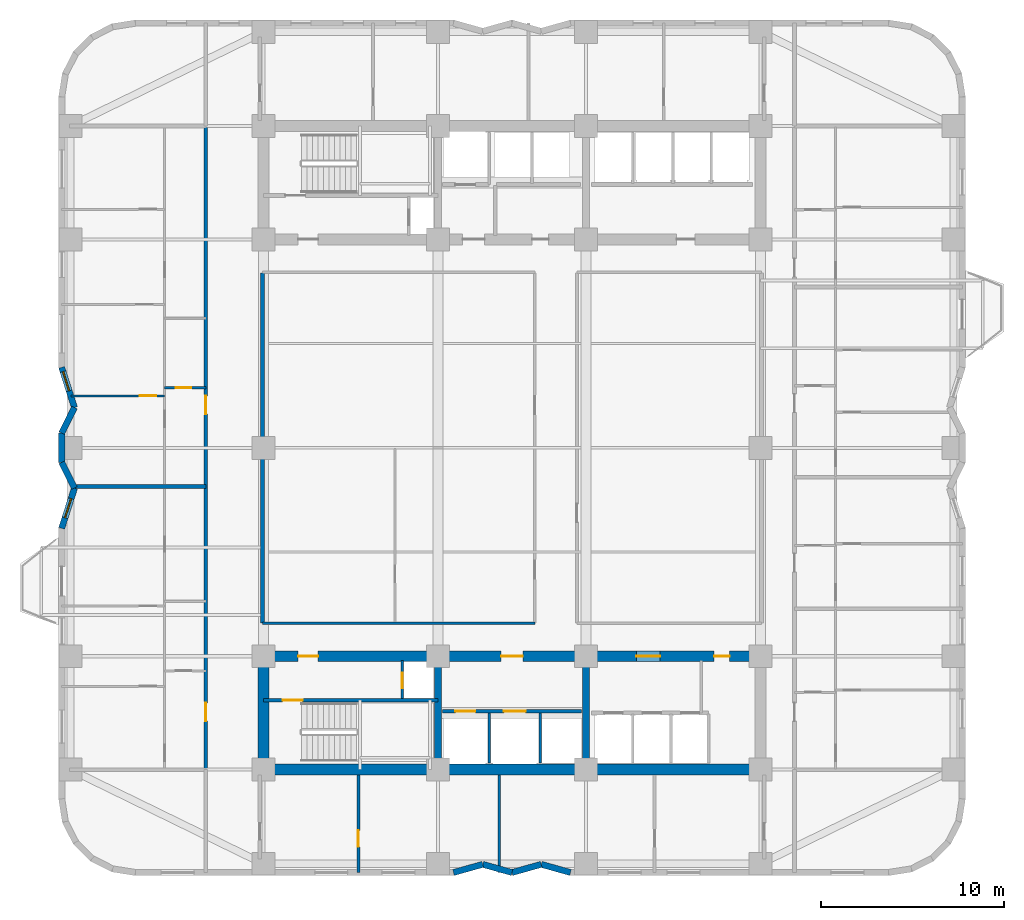
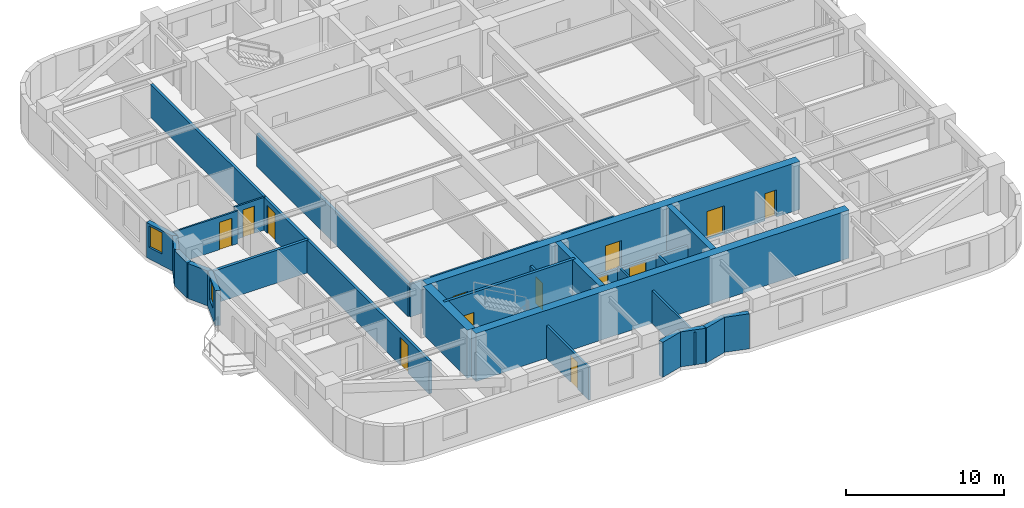
# One storey, part 3 of 9: 27 walls, 13 doors, 2 windows, 15 openings.
"""IFC4 building model written with IfcOpenShell, lengths in metres."""

from ifc_helpers import new_model, si_unit, direction, frame, frame_2d, origin, place, context, subcontext, project, spatial, rectangle, extrude, material, layer, layer_set, type_object, element, fill, save


model = new_model("IFC4")

# Units and contexts
model_context = context("Model", 3, precision=1e-05, world=origin(), true_north=direction((0.0, 1.0)))
body_context = subcontext(model_context, "Body", "Model", "MODEL_VIEW")
ifc_project = project(units=[si_unit("LENGTHUNIT", "METRE"), si_unit("AREAUNIT", "SQUARE_METRE"), si_unit("VOLUMEUNIT", "CUBIC_METRE"), si_unit("PLANEANGLEUNIT", "RADIAN"), si_unit("MASSUNIT", "GRAM", prefix="KILO")], contexts=[model_context])

# Site, building, storey
site_placement = place(None, origin())
site = spatial("IfcSite", under=ifc_project, at=site_placement, CompositionType="ELEMENT")
building_placement = place(site_placement, origin())
building = spatial("IfcBuilding", under=site, at=building_placement, Name="Svetorya Sky Lyceum", CompositionType="ELEMENT")
storey_placement = place(building_placement, frame((0.0, 0.0, 62.10009765625)))
storey = spatial("IfcBuildingStorey", under=building, at=storey_placement, Name="L15", CompositionType="ELEMENT", Elevation=62.10009765625)

# Walls
ifc_material_1 = material(Name="Concrete C40/50", Category="concrete")
ifc_layer_1 = layer(ifc_material_1, 0.39990234375)
ifc_layer_set_1 = layer_set([ifc_layer_1], Name="Concrete C40/50")
wall_type_1 = type_object("IfcWallType", Name="WL-CORE-400", PredefinedType="SHEAR", material=ifc_layer_set_1)
for number, where, z_axis, x_axis, name in (
    (1, (35.14990234375, 10.89990234375, 0.0), (0.0, 0.0, 1.0), (0.0, 1.0, 0.0), "L15 SC Internal Shear Web WEB1"),
    (2, (43.25, 10.89990234375, 0.0), (0.0, 0.0, 1.0), (0.0, 1.0, 0.0), "L15 SC Internal Shear Web WEB2"),
):
    element("IfcWall", number, at=place(storey_placement, frame(where, z_axis=z_axis, x_axis=x_axis)), inside=storey, type_object=wall_type_1, Name=name, PredefinedType="SHEAR", context=body_context, shape_type="SweptSolid", body=[
        extrude(rectangle(XDim=5.60009765625, YDim=0.39990234375, at=frame_2d((2.800048828125, 0.0))), origin(), (0.0, 0.0, 1.0), 3.699951171875),
    ])
ifc_material_2 = material(Name="Concrete C60/75", Category="concrete")
ifc_layer_2 = layer(ifc_material_2, 0.60009765625)
ifc_layer_set_2 = layer_set([ifc_layer_2], Name="Concrete C60/75")
wall_type_2 = type_object("IfcWallType", Name="WL-CORE-600", PredefinedType="SHEAR", material=ifc_layer_set_2)
wall_1_placement = place(storey_placement, frame((52.800048828125, 10.60009765625, 0.0), z_axis=(0.0, 0.0, 1.0), x_axis=(-1.0, 0.0, 0.0)))
element("IfcWall", 3, at=wall_1_placement, inside=storey, type_object=wall_type_2, Name="L15 SC Outer Core Shear Wall", PredefinedType="SHEAR", context=body_context, shape_type="SweptSolid", body=[
    extrude(rectangle(XDim=27.199951171875, YDim=0.60009765625, at=frame_2d((13.60009765625, 0.0))), origin(), (0.0, 0.0, 1.0), 3.699951171875),
])
wall_2_placement = place(storey_placement, frame((25.60009765625, 10.89990234375, 0.0), z_axis=(0.0, 0.0, 1.0), x_axis=(0.0, 1.0, 0.0)))
element("IfcWall", 4, at=wall_2_placement, inside=storey, type_object=wall_type_2, Name="L15 SC West Core Shear Wall", PredefinedType="SHEAR", context=body_context, shape_type="SweptSolid", body=[
    extrude(rectangle(XDim=5.60009765625, YDim=0.60009765625, at=frame_2d((2.800048828125, 0.0))), origin(), (0.0, 0.0, 1.0), 3.699951171875),
])

# Wall, openings, doors
wall_3_placement = place(storey_placement, frame((25.60009765625, 16.800048828125, 0.0), z_axis=(0.0, 0.0, 1.0), x_axis=(1.0, 0.0, 0.0)))
wall_3 = element("IfcWall", 5, at=wall_3_placement, inside=storey, type_object=wall_type_2, Name="L15 SC Inner Core Shear Wall", PredefinedType="SHEAR", context=body_context, shape_type="SweptSolid", body=[
    extrude(rectangle(XDim=27.199951171875, YDim=0.60009765625, at=frame_2d((13.60009765625, 0.0))), origin(), (0.0, 0.0, 1.0), 3.699951171875),
])
opening_1_placement = place(wall_3_placement, frame((1.89990234375, 0.0, 0.0)))
opening_1 = element("IfcOpeningElement", 6, at=opening_1_placement, cuts=wall_3, Name="Opening D-ST1", PredefinedType="OPENING", context=body_context, shape_type="SweptSolid", body=[
    extrude(rectangle(XDim=1.10009765625, YDim=2.14990234375, at=frame_2d((0.550048828125, 1.074951171875))), frame((0.0, 0.31005859375, 0.0), z_axis=(0.0, -1.0, 0.0), x_axis=(1.0, 0.0, 0.0)), (0.0, 0.0, 1.0), 0.6201171875),
])
opening_2_placement = place(wall_3_placement, frame((13.0, 0.0, 0.0)))
opening_2 = element("IfcOpeningElement", 7, at=opening_2_placement, cuts=wall_3, Name="Opening D-FL1", PredefinedType="OPENING", context=body_context, shape_type="SweptSolid", body=[
    extrude(rectangle(XDim=1.199951171875, YDim=2.14990234375, at=frame_2d((0.60009765625, 1.074951171875))), frame((0.0, 0.31005859375, 0.0), z_axis=(0.0, -1.0, 0.0), x_axis=(1.0, 0.0, 0.0)), (0.0, 0.0, 1.0), 0.6201171875),
])
opening_3_placement = place(wall_3_placement, frame((20.39990234375, 0.0, 0.0)))
opening_3 = element("IfcOpeningElement", 8, at=opening_3_placement, cuts=wall_3, Name="Opening D-LB1", PredefinedType="OPENING", context=body_context, shape_type="SweptSolid", body=[
    extrude(rectangle(XDim=1.300048828125, YDim=2.199951171875, at=frame_2d((0.64990234375, 1.10009765625))), frame((0.0, 0.31005859375, 0.0), z_axis=(0.0, -1.0, 0.0), x_axis=(1.0, 0.0, 0.0)), (0.0, 0.0, 1.0), 0.6201171875),
])
opening_4_placement = place(wall_3_placement, frame((24.64990234375, 0.0, 0.0)))
opening_4 = element("IfcOpeningElement", 9, at=opening_4_placement, cuts=wall_3, Name="Opening D-CWC1", PredefinedType="OPENING", context=body_context, shape_type="SweptSolid", body=[
    extrude(rectangle(XDim=0.85009765625, YDim=2.10009765625, at=frame_2d((0.425048828125, 1.050048828125))), frame((0.0, 0.31005859375, 0.0), z_axis=(0.0, -1.0, 0.0), x_axis=(1.0, 0.0, 0.0)), (0.0, 0.0, 1.0), 0.6201171875),
])
ifc_material_3 = material(Name="Fire-rated galvanized steel core service closet door", Category="steel")
door_type_1 = type_object("IfcDoorType", Name="DR-CWET-850", OperationType="SINGLE_SWING_LEFT", PredefinedType="DOOR", material=ifc_material_3)
door_1_placement = place(opening_4_placement, origin())
door_1 = element("IfcDoor", 10, at=door_1_placement, inside=storey, type_object=door_type_1, Name="L15 South Core Auxiliary Door", OperationType="SINGLE_SWING_LEFT", OverallHeight=2.10009765625, OverallWidth=0.85009765625, PredefinedType="DOOR", context=body_context, shape_type="SweptSolid", body=[
    extrude(rectangle(XDim=0.85009765625, YDim=2.10009765625, at=frame_2d((0.425048828125, 1.050048828125))), frame((0.0, 0.02490234375, 0.0), z_axis=(0.0, -1.0, 0.0), x_axis=(1.0, 0.0, 0.0)), (0.0, 0.0, 1.0), 0.050048828125),
])
fill(opening_4, door_1)
ifc_material_4 = material(Name="Powder-coated insulated galvanized stair fire door")
door_type_2 = type_object("IfcDoorType", Name="DR-FIRE-1100", OperationType="SINGLE_SWING_LEFT", PredefinedType="DOOR", material=ifc_material_4)
door_2_placement = place(opening_1_placement, origin())
door_2 = element("IfcDoor", 11, at=door_2_placement, inside=storey, type_object=door_type_2, Name="L15 South Stair Airlock Door", OperationType="SINGLE_SWING_RIGHT", OverallHeight=2.14990234375, OverallWidth=1.10009765625, PredefinedType="DOOR", context=body_context, shape_type="SweptSolid", body=[
    extrude(rectangle(XDim=1.10009765625, YDim=2.14990234375, at=frame_2d((0.550048828125, 1.074951171875))), frame((0.0, 0.02490234375, 0.0), z_axis=(0.0, -1.0, 0.0), x_axis=(1.0, 0.0, 0.0)), (0.0, 0.0, 1.0), 0.050048828125),
])
fill(opening_1, door_2)
ifc_material_5 = material(Name="Powder-coated insulated galvanized fire door")
door_type_3 = type_object("IfcDoorType", Name="DR-FIRE-1200", OperationType="SINGLE_SWING_LEFT", PredefinedType="DOOR", material=ifc_material_5)
door_3_placement = place(opening_2_placement, origin())
door_3 = element("IfcDoor", 12, at=door_3_placement, inside=storey, type_object=door_type_3, Name="L15 South Firefighting Lift Lobby Door", OperationType="SINGLE_SWING_LEFT", OverallHeight=2.14990234375, OverallWidth=1.199951171875, PredefinedType="DOOR", context=body_context, shape_type="SweptSolid", body=[
    extrude(rectangle(XDim=1.199951171875, YDim=2.14990234375, at=frame_2d((0.60009765625, 1.074951171875))), frame((0.0, 0.02490234375, 0.0), z_axis=(0.0, -1.0, 0.0), x_axis=(1.0, 0.0, 0.0)), (0.0, 0.0, 1.0), 0.050048828125),
])
fill(opening_2, door_3)
ifc_material_6 = material(Name="Glazed fire-rated aluminium lobby door", Category="aluminium")
door_type_4 = type_object("IfcDoorType", Name="DR-LOB-1300", OperationType="SINGLE_SWING_LEFT", PredefinedType="DOOR", material=ifc_material_6)
door_4_placement = place(opening_3_placement, origin())
door_4 = element("IfcDoor", 13, at=door_4_placement, inside=storey, type_object=door_type_4, Name="L15 Low-Rise Lift Lobby Door", OperationType="SINGLE_SWING_RIGHT", OverallHeight=2.199951171875, OverallWidth=1.300048828125, PredefinedType="DOOR", context=body_context, shape_type="SweptSolid", body=[
    extrude(rectangle(XDim=1.300048828125, YDim=2.199951171875, at=frame_2d((0.64990234375, 1.10009765625))), frame((0.0, 0.02490234375, 0.0), z_axis=(0.0, -1.0, 0.0), x_axis=(1.0, 0.0, 0.0)), (0.0, 0.0, 1.0), 0.050048828125),
])
fill(opening_3, door_4)

# Walls
ifc_material_7 = material(Name="Putilovo limestone rainscreen on autoclaved cellular masonry", Category="masonry")
ifc_layer_3 = layer(ifc_material_7, 0.340087890625)
ifc_layer_set_3 = layer_set([ifc_layer_3], Name="Putilovo limestone rainscreen on autoclaved cellular masonry")
wall_type_3 = type_object("IfcWallType", Name="WL-EXT-340", PredefinedType="SOLIDWALL", material=ifc_layer_set_3)
wall_4_placement = place(storey_placement, frame((36.0, 4.969970703125, 0.0), z_axis=(0.0, 0.0, 1.0), x_axis=(0.962662902433, 0.270703040766, 0.0)))
element("IfcWall", 14, at=wall_4_placement, inside=storey, type_object=wall_type_3, Name="L15 Limestone Exterior Wall 7M", PredefinedType="SOLIDWALL", context=body_context, shape_type="SweptSolid", body=[
    extrude(rectangle(XDim=1.662109375, YDim=0.340087890625, at=frame_2d((0.8310546875, 0.0))), origin(), (0.0, 0.0, 1.0), 2.699951171875),
])
wall_5_placement = place(storey_placement, frame((37.60009765625, 5.419921875, 0.0), z_axis=(0.0, 0.0, 1.0), x_axis=(0.962652136636, -0.270741322725, 0.0)))
element("IfcWall", 15, at=wall_5_placement, inside=storey, type_object=wall_type_3, Name="L15 Limestone Exterior Wall 8M", PredefinedType="SOLIDWALL", context=body_context, shape_type="SweptSolid", body=[
    extrude(rectangle(XDim=1.661865234375, YDim=0.340087890625, at=frame_2d((0.8310546875, 0.0))), origin(), (0.0, 0.0, 1.0), 2.699951171875),
])
wall_6_placement = place(storey_placement, frame((39.199951171875, 4.969970703125, 0.0), z_axis=(0.0, 0.0, 1.0), x_axis=(0.962662902433, 0.270703040766, 0.0)))
element("IfcWall", 16, at=wall_6_placement, inside=storey, type_object=wall_type_3, Name="L15 Limestone Exterior Wall 9M", PredefinedType="SOLIDWALL", context=body_context, shape_type="SweptSolid", body=[
    extrude(rectangle(XDim=1.662109375, YDim=0.340087890625, at=frame_2d((0.8310546875, 0.0))), origin(), (0.0, 0.0, 1.0), 2.699951171875),
])
wall_7_placement = place(storey_placement, frame((40.800048828125, 5.419921875, 0.0), z_axis=(0.0, 0.0, 1.0), x_axis=(0.962652136636, -0.270741322725, 0.0)))
element("IfcWall", 17, at=wall_7_placement, inside=storey, type_object=wall_type_3, Name="L15 Limestone Exterior Wall 10M", PredefinedType="SOLIDWALL", context=body_context, shape_type="SweptSolid", body=[
    extrude(rectangle(XDim=1.661865234375, YDim=0.340087890625, at=frame_2d((0.8310546875, 0.0))), origin(), (0.0, 0.0, 1.0), 2.699951171875),
])

# Wall, opening, window
wall_8_placement = place(storey_placement, frame((14.570068359375, 32.60009765625, 0.0), z_axis=(0.0, 0.0, 1.0), x_axis=(0.303160011437, -0.952939666225, 0.0)))
wall_8 = element("IfcWall", 18, at=wall_8_placement, inside=storey, type_object=wall_type_3, Name="L15 Limestone Exterior Wall 41M", PredefinedType="SOLIDWALL", context=body_context, shape_type="SweptSolid", body=[
    extrude(rectangle(XDim=2.308837890625, YDim=0.340087890625, at=frame_2d((1.154296875, 0.0))), origin(), (0.0, 0.0, 1.0), 2.699951171875),
])
opening_5_placement = place(wall_8_placement, frame((0.244384765625, 0.0, 0.889892578125)))
opening_5 = element("IfcOpeningElement", 19, at=opening_5_placement, cuts=wall_8, Name="Opening W-R3", PredefinedType="OPENING", context=body_context, shape_type="SweptSolid", body=[
    extrude(rectangle(XDim=1.10009765625, YDim=1.64990234375, at=frame_2d((0.550048828125, 0.824951171875))), frame((0.0, 0.179931640625, 0.0), z_axis=(0.0, -1.0, 0.0), x_axis=(1.0, 0.0, 0.0)), (0.0, 0.0, 1.0), 0.360107421875),
])
ifc_material_8 = material(Name="Thermally broken aluminium frame with triple low-E glazing", Category="aluminium")
window_type = type_object("IfcWindowType", Name="WN-RES-110", PartitioningType="SINGLE_PANEL", PredefinedType="WINDOW", material=ifc_material_8)
window_1_placement = place(opening_5_placement, origin())
window_1 = element("IfcWindow", 20, at=window_1_placement, inside=storey, type_object=window_type, Name="L15 Facade Window W-R3.41M.1", OverallHeight=1.64990234375, OverallWidth=1.10009765625, PartitioningType="SINGLE_PANEL", PredefinedType="WINDOW", context=body_context, shape_type="SweptSolid", body=[
    extrude(rectangle(XDim=1.10009765625, YDim=1.64990234375, at=frame_2d((0.550048828125, 0.824951171875))), frame((0.0, 0.030029296875, 0.0), z_axis=(0.0, -1.0, 0.0), x_axis=(1.0, 0.0, 0.0)), (0.0, 0.0, 1.0), 0.06005859375),
])
fill(opening_5, window_1)

# Walls
wall_9_placement = place(storey_placement, frame((15.27001953125, 30.39990234375, 0.0), z_axis=(0.0, 0.0, 1.0), x_axis=(-0.4472135955, -0.894427191, 0.0)))
element("IfcWall", 21, at=wall_9_placement, inside=storey, type_object=wall_type_3, Name="L15 Limestone Exterior Wall 42M", PredefinedType="SOLIDWALL", context=body_context, shape_type="SweptSolid", body=[
    extrude(rectangle(XDim=1.565185546875, YDim=0.340087890625, at=frame_2d((0.78271484375, 0.0))), origin(), (0.0, 0.0, 1.0), 2.699951171875),
])
wall_10_placement = place(storey_placement, frame((14.570068359375, 29.0, 0.0), z_axis=(0.0, 0.0, 1.0), x_axis=(0.0, -1.0, 0.0)))
element("IfcWall", 22, at=wall_10_placement, inside=storey, type_object=wall_type_3, Name="L15 Limestone Exterior Wall 43M", PredefinedType="SOLIDWALL", context=body_context, shape_type="SweptSolid", body=[
    extrude(rectangle(XDim=1.60009765625, YDim=0.340087890625, at=frame_2d((0.800048828125, 0.0))), origin(), (0.0, 0.0, 1.0), 2.699951171875),
])
wall_11_placement = place(storey_placement, frame((14.570068359375, 27.39990234375, 0.0), z_axis=(0.0, 0.0, 1.0), x_axis=(0.4472135955, -0.894427191, 0.0)))
element("IfcWall", 23, at=wall_11_placement, inside=storey, type_object=wall_type_3, Name="L15 Limestone Exterior Wall 44M", PredefinedType="SOLIDWALL", context=body_context, shape_type="SweptSolid", body=[
    extrude(rectangle(XDim=1.565185546875, YDim=0.340087890625, at=frame_2d((0.78271484375, 0.0))), origin(), (0.0, 0.0, 1.0), 2.699951171875),
])

# Wall, opening, window
wall_12_placement = place(storey_placement, frame((15.27001953125, 26.0, 0.0), z_axis=(0.0, 0.0, 1.0), x_axis=(-0.303190562272, -0.952929946507, 0.0)))
wall_12 = element("IfcWall", 24, at=wall_12_placement, inside=storey, type_object=wall_type_3, Name="L15 Limestone Exterior Wall 45M", PredefinedType="SOLIDWALL", context=body_context, shape_type="SweptSolid", body=[
    extrude(rectangle(XDim=2.30859375, YDim=0.340087890625, at=frame_2d((1.154296875, 0.0))), origin(), (0.0, 0.0, 1.0), 2.699951171875),
])
opening_6_placement = place(wall_12_placement, frame((0.604248046875, 0.0, 0.889892578125)))
opening_6 = element("IfcOpeningElement", 25, at=opening_6_placement, cuts=wall_12, Name="Opening W-R3", PredefinedType="OPENING", context=body_context, shape_type="SweptSolid", body=[
    extrude(rectangle(XDim=1.10009765625, YDim=1.64990234375, at=frame_2d((0.550048828125, 0.824951171875))), frame((0.0, 0.179931640625, 0.0), z_axis=(0.0, -1.0, 0.0), x_axis=(1.0, 0.0, 0.0)), (0.0, 0.0, 1.0), 0.360107421875),
])
window_2_placement = place(opening_6_placement, origin())
window_2 = element("IfcWindow", 26, at=window_2_placement, inside=storey, type_object=window_type, Name="L15 Facade Window W-R3.45M.1", OverallHeight=1.64990234375, OverallWidth=1.10009765625, PartitioningType="SINGLE_PANEL", PredefinedType="WINDOW", context=body_context, shape_type="SweptSolid", body=[
    extrude(rectangle(XDim=1.10009765625, YDim=1.64990234375, at=frame_2d((0.550048828125, 0.824951171875))), frame((0.0, 0.030029296875, 0.0), z_axis=(0.0, -1.0, 0.0), x_axis=(1.0, 0.0, 0.0)), (0.0, 0.0, 1.0), 0.06005859375),
])
fill(opening_6, window_2)

# Wall, opening, door
ifc_material_9 = material(Name="Twin-stud galvanized framing with double fireboard", Category="gypsum")
ifc_layer_4 = layer(ifc_material_9, 0.1201171875)
ifc_layer_set_4 = layer_set([ifc_layer_4], Name="Twin-stud galvanized framing with double fireboard")
wall_type_4 = type_object("IfcWallType", Name="WL-PART-120", PredefinedType="PARTITIONING", material=ifc_layer_set_4)
wall_13_placement = place(storey_placement, frame((20.199951171875, 31.488037109375, 0.0), z_axis=(0.0, 0.0, 1.0), x_axis=(1.0, 0.0, 0.0)))
wall_13 = element("IfcWall", 27, at=wall_13_placement, inside=storey, type_object=wall_type_4, Name="L15 Interior Partition W2-WH1", PredefinedType="PARTITIONING", context=body_context, shape_type="SweptSolid", body=[
    extrude(rectangle(XDim=2.25, YDim=0.1201171875, at=frame_2d((1.125, 0.0))), origin(), (0.0, 0.0, 1.0), 2.52978515625),
])
opening_7_placement = place(wall_13_placement, frame((0.60009765625, 0.0, 0.0)))
opening_7 = element("IfcOpeningElement", 28, at=opening_7_placement, cuts=wall_13, Name="Opening D-BT1", PredefinedType="OPENING", context=body_context, shape_type="SweptSolid", body=[
    extrude(rectangle(XDim=0.85009765625, YDim=2.10009765625, at=frame_2d((0.425048828125, 1.050048828125))), frame((0.0, 0.070068359375, 0.0), z_axis=(0.0, -1.0, 0.0), x_axis=(1.0, 0.0, 0.0)), (0.0, 0.0, 1.0), 0.14013671875),
])
ifc_material_10 = material(Name="Moisture-resistant laminate bathroom door")
door_type_5 = type_object("IfcDoorType", Name="DR-WET-850", OperationType="SINGLE_SWING_LEFT", PredefinedType="DOOR", material=ifc_material_10)
door_5_placement = place(opening_7_placement, origin())
door_5 = element("IfcDoor", 29, at=door_5_placement, inside=storey, type_object=door_type_5, Name="Apartment W2 Bathroom Door", OperationType="SINGLE_SWING_RIGHT", OverallHeight=2.10009765625, OverallWidth=0.85009765625, PredefinedType="DOOR", context=body_context, shape_type="SweptSolid", body=[
    extrude(rectangle(XDim=0.85009765625, YDim=2.10009765625, at=frame_2d((0.425048828125, 1.050048828125))), frame((0.0, 0.02490234375, 0.0), z_axis=(0.0, -1.0, 0.0), x_axis=(1.0, 0.0, 0.0)), (0.0, 0.0, 1.0), 0.050048828125),
])
fill(opening_7, door_5)

wall_14_placement = place(storey_placement, frame((15.06689453125, 31.0380859375, 0.0), z_axis=(0.0, 0.0, 1.0), x_axis=(1.0, 0.0, 0.0)))
wall_14 = element("IfcWall", 30, at=wall_14_placement, inside=storey, type_object=wall_type_4, Name="L15 Interior Partition W2-WL1", PredefinedType="PARTITIONING", context=body_context, shape_type="SweptSolid", body=[
    extrude(rectangle(XDim=5.133056640625, YDim=0.1201171875, at=frame_2d((2.56640625, 0.0))), origin(), (0.0, 0.0, 1.0), 2.52978515625),
])
opening_8_placement = place(wall_14_placement, frame((3.782958984375, 0.0, 0.0)))
opening_8 = element("IfcOpeningElement", 31, at=opening_8_placement, cuts=wall_14, Name="Opening D-RM1", PredefinedType="OPENING", context=body_context, shape_type="SweptSolid", body=[
    extrude(rectangle(XDim=0.89990234375, YDim=2.10009765625, at=frame_2d((0.449951171875, 1.050048828125))), frame((0.0, 0.070068359375, 0.0), z_axis=(0.0, -1.0, 0.0), x_axis=(1.0, 0.0, 0.0)), (0.0, 0.0, 1.0), 0.14013671875),
])
ifc_material_11 = material(Name="Lacquered birch veneer internal door")
door_type_6 = type_object("IfcDoorType", Name="DR-INT-900", OperationType="SINGLE_SWING_LEFT", PredefinedType="DOOR", material=ifc_material_11)
door_6_placement = place(opening_8_placement, origin())
door_6 = element("IfcDoor", 32, at=door_6_placement, inside=storey, type_object=door_type_6, Name="Apartment W2 Master Bedroom Door", OperationType="SINGLE_SWING_RIGHT", OverallHeight=2.10009765625, OverallWidth=0.89990234375, PredefinedType="DOOR", context=body_context, shape_type="SweptSolid", body=[
    extrude(rectangle(XDim=0.89990234375, YDim=2.10009765625, at=frame_2d((0.449951171875, 1.050048828125))), frame((0.0, 0.02490234375, 0.0), z_axis=(0.0, -1.0, 0.0), x_axis=(1.0, 0.0, 0.0)), (0.0, 0.0, 1.0), 0.050048828125),
])
fill(opening_8, door_6)

ifc_material_12 = material(Name="Autoclaved cellular masonry blockwork with acoustic render", Category="masonry")
ifc_layer_5 = layer(ifc_material_12, 0.14990234375)
ifc_layer_set_5 = layer_set([ifc_layer_5], Name="Autoclaved cellular masonry blockwork with acoustic render")
wall_type_5 = type_object("IfcWallType", Name="WL-PART-150", PredefinedType="PARTITIONING", material=ifc_layer_set_5)
wall_15_placement = place(storey_placement, frame((33.199951171875, 14.5, 0.0), z_axis=(0.0, 0.0, 1.0), x_axis=(0.0, 1.0, 0.0)))
wall_15 = element("IfcWall", 33, at=wall_15_placement, inside=storey, type_object=wall_type_5, Name="L15 Interior Partition SC-AIRDIV", PredefinedType="PARTITIONING", context=body_context, shape_type="SweptSolid", body=[
    extrude(rectangle(XDim=2.080078125, YDim=0.14990234375, at=frame_2d((1.0400390625, 0.0))), origin(), (0.0, 0.0, 1.0), 2.52978515625),
])
opening_9_placement = place(wall_15_placement, frame((0.550048828125, 0.0, 0.0)))
opening_9 = element("IfcOpeningElement", 34, at=opening_9_placement, cuts=wall_15, Name="Opening D-SH1", PredefinedType="OPENING", context=body_context, shape_type="SweptSolid", body=[
    extrude(rectangle(XDim=0.85009765625, YDim=2.050048828125, at=frame_2d((0.425048828125, 1.02490234375))), frame((0.0, 0.0849609375, 0.0), z_axis=(0.0, -1.0, 0.0), x_axis=(1.0, 0.0, 0.0)), (0.0, 0.0, 1.0), 0.169921875),
])
ifc_material_13 = material(Name="Insulated galvanized riser inspection fire door")
door_type_7 = type_object("IfcDoorType", Name="DR-SHFT-850", OperationType="SINGLE_SWING_LEFT", PredefinedType="TRAPDOOR", material=ifc_material_13)
door_7_placement = place(opening_9_placement, origin())
door_7 = element("IfcDoor", 35, at=door_7_placement, inside=storey, type_object=door_type_7, Name="L15 South Riser Access Door", OperationType="SINGLE_SWING_RIGHT", OverallHeight=2.050048828125, OverallWidth=0.85009765625, PredefinedType="TRAPDOOR", context=body_context, shape_type="SweptSolid", body=[
    extrude(rectangle(XDim=0.85009765625, YDim=2.050048828125, at=frame_2d((0.425048828125, 1.02490234375))), frame((0.0, 0.02490234375, 0.0), z_axis=(0.0, -1.0, 0.0), x_axis=(1.0, 0.0, 0.0)), (0.0, 0.0, 1.0), 0.050048828125),
])
fill(opening_9, door_7)

# Walls
for number, where, z_axis, x_axis, name in (
    (36, (37.949951171875, 10.949951171875, 0.0), (0.0, 0.0, 1.0), (0.0, 1.0, 0.0), "L15 Interior Partition SC-SHD1"),
    (37, (40.75, 10.949951171875, 0.0), (0.0, 0.0, 1.0), (0.0, 1.0, 0.0), "L15 Interior Partition SC-SHD2"),
):
    element("IfcWall", number, at=place(storey_placement, frame(where, z_axis=z_axis, x_axis=x_axis)), inside=storey, type_object=wall_type_5, Name=name, PredefinedType="PARTITIONING", context=body_context, shape_type="SweptSolid", body=[
        extrude(rectangle(XDim=2.75, YDim=0.14990234375, at=frame_2d((1.375, 0.0))), origin(), (0.0, 0.0, 1.0), 2.52978515625),
    ])
wall_16_placement = place(storey_placement, frame((25.550048828125, 18.60009765625, 0.0), z_axis=(0.0, 0.0, 1.0), x_axis=(1.0, 0.0, 0.0)))
element("IfcWall", 38, at=wall_16_placement, inside=storey, type_object=wall_type_5, Name="L15 Interior Partition CS-MID-W", PredefinedType="PARTITIONING", context=body_context, shape_type="SweptSolid", body=[
    extrude(rectangle(XDim=14.89990234375, YDim=0.14990234375, at=frame_2d((7.449951171875, 0.0))), origin(), (0.0, 0.0, 1.0), 2.52978515625),
])

# Wall, opening, door
wall_17_placement = place(storey_placement, frame((30.800048828125, 4.969970703125, 0.0), z_axis=(0.0, 0.0, 1.0), x_axis=(0.0, 1.0, 0.0)))
wall_17 = element("IfcWall", 39, at=wall_17_placement, inside=storey, type_object=wall_type_5, Name="L15 Interior Partition S4-D1", PredefinedType="PARTITIONING", context=body_context, shape_type="SweptSolid", body=[
    extrude(rectangle(XDim=5.330078125, YDim=0.14990234375, at=frame_2d((2.6650390625, 0.0))), origin(), (0.0, 0.0, 1.0), 2.52978515625),
])
opening_10_placement = place(wall_17_placement, frame((1.39990234375, 0.0, 0.0)))
opening_10 = element("IfcOpeningElement", 40, at=opening_10_placement, cuts=wall_17, Name="Opening D-RM1", PredefinedType="OPENING", context=body_context, shape_type="SweptSolid", body=[
    extrude(rectangle(XDim=0.89990234375, YDim=2.10009765625, at=frame_2d((0.449951171875, 1.050048828125))), frame((0.0, 0.0849609375, 0.0), z_axis=(0.0, -1.0, 0.0), x_axis=(1.0, 0.0, 0.0)), (0.0, 0.0, 1.0), 0.169921875),
])
door_8_placement = place(opening_10_placement, origin())
door_8 = element("IfcDoor", 41, at=door_8_placement, inside=storey, type_object=door_type_6, Name="L15 South Suite Door 1", OperationType="SINGLE_SWING_LEFT", OverallHeight=2.10009765625, OverallWidth=0.89990234375, PredefinedType="DOOR", context=body_context, shape_type="SweptSolid", body=[
    extrude(rectangle(XDim=0.89990234375, YDim=2.10009765625, at=frame_2d((0.449951171875, 1.050048828125))), frame((0.0, 0.02490234375, 0.0), z_axis=(0.0, -1.0, 0.0), x_axis=(1.0, 0.0, 0.0)), (0.0, 0.0, 1.0), 0.050048828125),
])
fill(opening_10, door_8)

# Wall
wall_18_placement = place(storey_placement, frame((38.5, 4.969970703125, 0.0), z_axis=(0.0, 0.0, 1.0), x_axis=(0.0, 1.0, 0.0)))
element("IfcWall", 42, at=wall_18_placement, inside=storey, type_object=wall_type_5, Name="L15 Interior Partition S4-D2", PredefinedType="PARTITIONING", context=body_context, shape_type="SweptSolid", body=[
    extrude(rectangle(XDim=5.330078125, YDim=0.14990234375, at=frame_2d((2.6650390625, 0.0))), origin(), (0.0, 0.0, 1.0), 2.52978515625),
])

# Wall, openings, doors
ifc_material_14 = material(Name="Autoclaved cellular masonry blockwork with gypsum plaster", Category="masonry")
ifc_layer_6 = layer(ifc_material_14, 0.199951171875)
ifc_layer_set_6 = layer_set([ifc_layer_6], Name="Autoclaved cellular masonry blockwork with gypsum plaster")
wall_type_6 = type_object("IfcWallType", Name="WL-PART-200", PredefinedType="PARTITIONING", material=ifc_layer_set_6)
wall_19_placement = place(storey_placement, frame((35.39990234375, 13.800048828125, 0.0), z_axis=(0.0, 0.0, 1.0), x_axis=(1.0, 0.0, 0.0)))
wall_19 = element("IfcWall", 43, at=wall_19_placement, inside=storey, type_object=wall_type_6, Name="L15 Interior Partition SC-FLW", PredefinedType="PARTITIONING", context=body_context, shape_type="SweptSolid", body=[
    extrude(rectangle(XDim=7.60009765625, YDim=0.199951171875, at=frame_2d((3.800048828125, 0.0))), origin(), (0.0, 0.0, 1.0), 2.2998046875),
])
opening_11_placement = place(wall_19_placement, frame((0.699951171875, 0.0, 0.0)))
opening_11 = element("IfcOpeningElement", 44, at=opening_11_placement, cuts=wall_19, Name="Opening LD-FL", PredefinedType="OPENING", context=body_context, shape_type="SweptSolid", body=[
    extrude(rectangle(XDim=1.10009765625, YDim=2.14990234375, at=frame_2d((0.550048828125, 1.074951171875))), frame((0.0, 0.10986328125, 0.0), z_axis=(0.0, -1.0, 0.0), x_axis=(1.0, 0.0, 0.0)), (0.0, 0.0, 1.0), 0.219970703125),
])
opening_12_placement = place(wall_19_placement, frame((3.35009765625, 0.0, 0.0)))
opening_12 = element("IfcOpeningElement", 45, at=opening_12_placement, cuts=wall_19, Name="Opening LD-SV", PredefinedType="OPENING", context=body_context, shape_type="SweptSolid", body=[
    extrude(rectangle(XDim=1.199951171875, YDim=2.14990234375, at=frame_2d((0.60009765625, 1.074951171875))), frame((0.0, 0.10986328125, 0.0), z_axis=(0.0, -1.0, 0.0), x_axis=(1.0, 0.0, 0.0)), (0.0, 0.0, 1.0), 0.219970703125),
])
ifc_material_15 = material(Name="Fire-rated stainless AISI 304 firefighting lift landing door")
door_type_8 = type_object("IfcDoorType", Name="DR-LIFT-1100", OperationType="SLIDING_TO_LEFT", PredefinedType="DOOR", material=ifc_material_15)
door_9_placement = place(opening_11_placement, origin())
door_9 = element("IfcDoor", 46, at=door_9_placement, inside=storey, type_object=door_type_8, Name="L15 Firefighting Lift FL2 Landing Door", OperationType="SLIDING_TO_LEFT", OverallHeight=2.14990234375, OverallWidth=1.10009765625, PredefinedType="DOOR", context=body_context, shape_type="SweptSolid", body=[
    extrude(rectangle(XDim=1.10009765625, YDim=2.14990234375, at=frame_2d((0.550048828125, 1.074951171875))), frame((0.0, 0.02490234375, 0.0), z_axis=(0.0, -1.0, 0.0), x_axis=(1.0, 0.0, 0.0)), (0.0, 0.0, 1.0), 0.050048828125),
])
fill(opening_11, door_9)
ifc_material_16 = material(Name="Brushed stainless AISI 304 telescopic lift landing door")
door_type_9 = type_object("IfcDoorType", Name="DR-LIFT-1200", OperationType="SLIDING_TO_LEFT", PredefinedType="DOOR", material=ifc_material_16)
door_10_placement = place(opening_12_placement, origin())
door_10 = element("IfcDoor", 47, at=door_10_placement, inside=storey, type_object=door_type_9, Name="L15 Service Lift SVL1 Landing Door", OperationType="SLIDING_TO_LEFT", OverallHeight=2.14990234375, OverallWidth=1.199951171875, PredefinedType="DOOR", context=body_context, shape_type="SweptSolid", body=[
    extrude(rectangle(XDim=1.199951171875, YDim=2.14990234375, at=frame_2d((0.60009765625, 1.074951171875))), frame((0.0, 0.02490234375, 0.0), z_axis=(0.0, -1.0, 0.0), x_axis=(1.0, 0.0, 0.0)), (0.0, 0.0, 1.0), 0.050048828125),
])
fill(opening_12, door_10)

# Walls
wall_20_placement = place(storey_placement, frame((25.550048828125, 18.6298828125, 0.0), z_axis=(0.0, 0.0, 1.0), x_axis=(0.0, 1.0, 0.0)))
element("IfcWall", 48, at=wall_20_placement, inside=storey, type_object=wall_type_6, Name="L15 Interior Partition W-CEN-SEP", PredefinedType="PARTITIONING", context=body_context, shape_type="SweptSolid", body=[
    extrude(rectangle(XDim=19.14013671875, YDim=0.199951171875, at=frame_2d((9.570068359375, 0.0))), origin(), (0.0, 0.0, 1.0), 2.52978515625),
])
wall_21_placement = place(storey_placement, frame((15.22607421875, 26.087890625, 0.0), z_axis=(0.0, 0.0, 1.0), x_axis=(1.0, 0.0, 0.0)))
element("IfcWall", 49, at=wall_21_placement, inside=storey, type_object=wall_type_6, Name="L15 Interior Partition W-PARTY-1", PredefinedType="PARTITIONING", context=body_context, shape_type="SweptSolid", body=[
    extrude(rectangle(XDim=7.223876953125, YDim=0.199951171875, at=frame_2d((3.61181640625, 0.0))), origin(), (0.0, 0.0, 1.0), 2.52978515625),
])

# Wall, openings, doors
wall_22_placement = place(storey_placement, frame((22.449951171875, 10.60009765625, 0.0), z_axis=(0.0, 0.0, 1.0), x_axis=(0.0, 1.0, 0.0)))
wall_22 = element("IfcWall", 50, at=wall_22_placement, inside=storey, type_object=wall_type_6, Name="L15 Interior Partition W-CORRW", PredefinedType="PARTITIONING", context=body_context, shape_type="SweptSolid", body=[
    extrude(rectangle(XDim=35.199951171875, YDim=0.199951171875, at=frame_2d((17.60009765625, 0.0))), origin(), (0.0, 0.0, 1.0), 2.52978515625),
])
opening_13_placement = place(wall_22_placement, frame((2.64990234375, 0.0, 0.0)))
opening_13 = element("IfcOpeningElement", 51, at=opening_13_placement, cuts=wall_22, Name="Opening D-APT1", PredefinedType="OPENING", context=body_context, shape_type="SweptSolid", body=[
    extrude(rectangle(XDim=1.0, YDim=2.14990234375, at=frame_2d((0.5, 1.074951171875))), frame((0.0, 0.10986328125, 0.0), z_axis=(0.0, -1.0, 0.0), x_axis=(1.0, 0.0, 0.0)), (0.0, 0.0, 1.0), 0.219970703125),
])
opening_14_placement = place(wall_22_placement, frame((19.43798828125, 0.0, 0.0)))
opening_14 = element("IfcOpeningElement", 52, at=opening_14_placement, cuts=wall_22, Name="Opening D-APT1", PredefinedType="OPENING", context=body_context, shape_type="SweptSolid", body=[
    extrude(rectangle(XDim=1.0, YDim=2.14990234375, at=frame_2d((0.5, 1.074951171875))), frame((0.0, 0.10986328125, 0.0), z_axis=(0.0, -1.0, 0.0), x_axis=(1.0, 0.0, 0.0)), (0.0, 0.0, 1.0), 0.219970703125),
])
ifc_material_17 = material(Name="Insulated oak-veneered apartment entrance door")
door_type_10 = type_object("IfcDoorType", Name="DR-APT-1000", OperationType="SINGLE_SWING_LEFT", PredefinedType="DOOR", material=ifc_material_17)
door_11_placement = place(opening_13_placement, origin())
door_11 = element("IfcDoor", 53, at=door_11_placement, inside=storey, type_object=door_type_10, Name="L15 Apartment W1 Entrance Door", OperationType="SINGLE_SWING_LEFT", OverallHeight=2.14990234375, OverallWidth=1.0, PredefinedType="DOOR", context=body_context, shape_type="SweptSolid", body=[
    extrude(rectangle(XDim=1.0, YDim=2.14990234375, at=frame_2d((0.5, 1.074951171875))), frame((0.0, 0.02490234375, 0.0), z_axis=(0.0, -1.0, 0.0), x_axis=(1.0, 0.0, 0.0)), (0.0, 0.0, 1.0), 0.050048828125),
])
fill(opening_13, door_11)
door_12_placement = place(opening_14_placement, origin())
door_12 = element("IfcDoor", 54, at=door_12_placement, inside=storey, type_object=door_type_10, Name="L15 Apartment W2 Entrance Door", OperationType="SINGLE_SWING_RIGHT", OverallHeight=2.14990234375, OverallWidth=1.0, PredefinedType="DOOR", context=body_context, shape_type="SweptSolid", body=[
    extrude(rectangle(XDim=1.0, YDim=2.14990234375, at=frame_2d((0.5, 1.074951171875))), frame((0.0, 0.02490234375, 0.0), z_axis=(0.0, -1.0, 0.0), x_axis=(1.0, 0.0, 0.0)), (0.0, 0.0, 1.0), 0.050048828125),
])
fill(opening_14, door_12)

# Wall, opening, door
ifc_material_18 = material(Name="Concrete C50/60", Category="concrete")
ifc_layer_7 = layer(ifc_material_18, 0.199951171875)
ifc_layer_set_7 = layer_set([ifc_layer_7], Name="Concrete C50/60")
wall_type_7 = type_object("IfcWallType", Name="WL-SHW-200", PredefinedType="SHEAR", material=ifc_layer_set_7)
wall_23_placement = place(storey_placement, frame((25.60009765625, 14.39990234375, 0.0), z_axis=(0.0, 0.0, 1.0), x_axis=(1.0, 0.0, 0.0)))
wall_23 = element("IfcWall", 55, at=wall_23_placement, inside=storey, type_object=wall_type_7, Name="L15 Structural Stair Shaft Wall SC-STW", PredefinedType="SHEAR", context=body_context, shape_type="SweptSolid", body=[
    extrude(rectangle(XDim=9.5498046875, YDim=0.199951171875, at=frame_2d((4.77490234375, 0.0))), origin(), (0.0, 0.0, 1.0), 3.699951171875),
])
opening_15_placement = place(wall_23_placement, frame((1.050048828125, 0.0, 0.0)))
opening_15 = element("IfcOpeningElement", 56, at=opening_15_placement, cuts=wall_23, Name="Opening D-ST1", PredefinedType="OPENING", context=body_context, shape_type="SweptSolid", body=[
    extrude(rectangle(XDim=1.10009765625, YDim=2.14990234375, at=frame_2d((0.550048828125, 1.074951171875))), frame((0.0, 0.10986328125, 0.0), z_axis=(0.0, -1.0, 0.0), x_axis=(1.0, 0.0, 0.0)), (0.0, 0.0, 1.0), 0.219970703125),
])
door_13_placement = place(opening_15_placement, origin())
door_13 = element("IfcDoor", 57, at=door_13_placement, inside=storey, type_object=door_type_2, Name="L15 Stair ST-S Vestibule Fire Door", OperationType="SINGLE_SWING_LEFT", OverallHeight=2.14990234375, OverallWidth=1.10009765625, PredefinedType="DOOR", context=body_context, shape_type="SweptSolid", body=[
    extrude(rectangle(XDim=1.10009765625, YDim=2.14990234375, at=frame_2d((0.550048828125, 1.074951171875))), frame((0.0, 0.02490234375, 0.0), z_axis=(0.0, -1.0, 0.0), x_axis=(1.0, 0.0, 0.0)), (0.0, 0.0, 1.0), 0.050048828125),
])
fill(opening_15, door_13)

save(model, "model.ifc")
